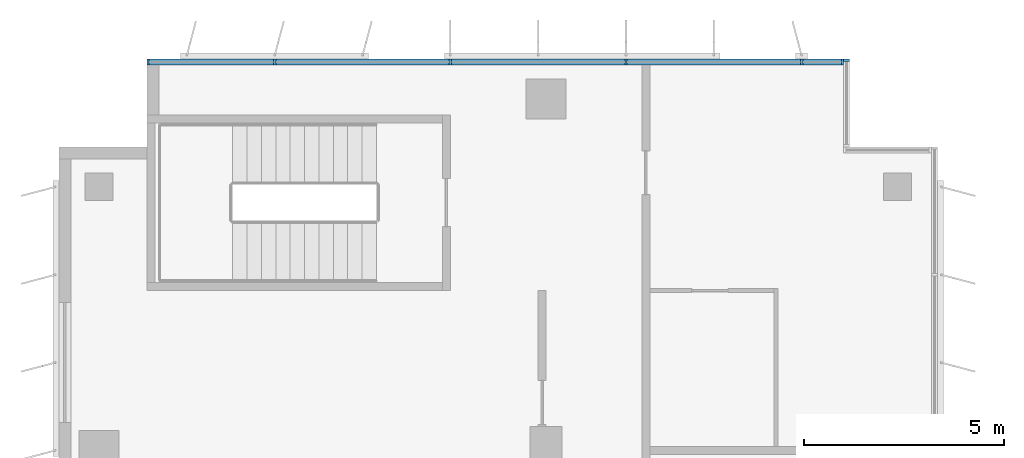
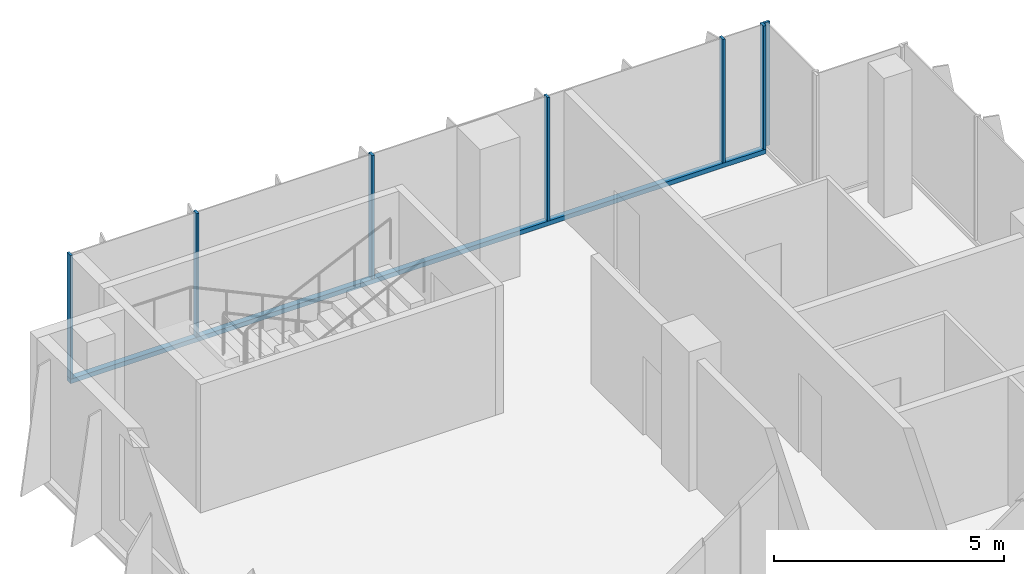
# One storey, part 9 of 21: 8 members, 2 elements without a shape of their own.
"""IFC4 building model written with IfcOpenShell, lengths in metres."""

from ifc_helpers import new_model, si_unit, direction, frame, origin, origin_2d, place, context, subcontext, project, spatial, rectangle, extrude, source, transform, mapped, material, material_profile, profile_set, type_object, element, aggregate, save


model = new_model("IFC4")

# Units and contexts
model_context = context("Model", 3, precision=1e-05, world=origin(), true_north=direction((0.0, 1.0)))
body_context = subcontext(model_context, "Body", "Model", "MODEL_VIEW")
ifc_project = project(units=[si_unit("LENGTHUNIT", "METRE"), si_unit("AREAUNIT", "SQUARE_METRE"), si_unit("VOLUMEUNIT", "CUBIC_METRE"), si_unit("PLANEANGLEUNIT", "RADIAN"), si_unit("MASSUNIT", "GRAM", prefix="KILO")], contexts=[model_context])

# Site, building, storey
site_placement = place(None, origin())
site = spatial("IfcSite", under=ifc_project, at=site_placement, CompositionType="ELEMENT")
building_placement = place(site_placement, origin())
building = spatial("IfcBuilding", under=site, at=building_placement, Name="Kemantara Hotel Tower", CompositionType="ELEMENT")
storey_placement = place(building_placement, frame((0.0, 0.0, 160.5)))
storey = spatial("IfcBuildingStorey", under=building, at=storey_placement, Name="L39", CompositionType="ELEMENT", Elevation=160.5)

# Curtain wall, members
ifc_material_1 = material(Name="Low-E tinted double insulated glass 36 mm", Category="glass")
curtain_wall_type = type_object("IfcCurtainWallType", Name="TOWER CURTAIN WALL, FRONT FACES", PredefinedType="USERDEFINED", material=ifc_material_1)
curtain_wall_1_placement = place(storey_placement, origin())
curtain_wall_1 = element("IfcCurtainWall", 1, at=curtain_wall_1_placement, inside=storey, type_object=curtain_wall_type, Name="CW4 L39 T3-R02-1", ObjectType="TOWER CURTAIN WALL, FRONT FACES", PredefinedType="USERDEFINED")
ifc_material_2 = material(Name="Aluminium 6063-T6 bronze anodised", Category="aluminium")
ifc_material_profile_1 = material_profile(ifc_material_2, rectangle(XDim=0.14990234375, YDim=0.1201171875, at=origin_2d()), Name="TOWER CURTAIN WALL, FRONT FACES TRANSOM")
ifc_profile_set_1 = profile_set([ifc_material_profile_1], Name="Aluminium 6063-T6 bronze anodised")
member_type_1 = type_object("IfcMemberType", Name="TOWER CURTAIN WALL, FRONT FACES TRANSOM", PredefinedType="USERDEFINED", material=ifc_profile_set_1)
member_1_placement = place(storey_placement, frame((19.64990234375, 63.52490234375, 0.06005859375), z_axis=(-1.0, 0.0, 0.0), x_axis=(0.0, -1.0, 0.0)))
member_1 = element("IfcMember", 2, at=member_1_placement, type_object=member_type_1, Name="CW4 sill transom T3-R02-1", ObjectType="TRANSOM", PredefinedType="USERDEFINED", context=body_context, shape_type="SweptSolid", body=[
    extrude(rectangle(XDim=0.14990234375, YDim=0.1201171875, at=origin_2d()), origin(), (0.0, 0.0, 1.0), 17.449951171875),
])
ifc_material_profile_2 = material_profile(ifc_material_2, rectangle(XDim=0.14990234375, YDim=0.06005859375, at=origin_2d()), Name="TOWER CURTAIN WALL, FRONT FACES MULLION")
ifc_profile_set_2 = profile_set([ifc_material_profile_2], Name="Aluminium 6063-T6 bronze anodised")
member_type_2 = type_object("IfcMemberType", Name="TOWER CURTAIN WALL, FRONT FACES MULLION", PredefinedType="MULLION", material=ifc_profile_set_2)
shared_shape = source(origin(), body_context, "Body", "SweptSolid", [
    extrude(rectangle(XDim=0.14990234375, YDim=0.06005859375, at=origin_2d()), origin(), (0.0, 0.0, 1.0), 3.27978515625),
])
member_2_placement = place(storey_placement, frame((19.6201171875, 63.52490234375, 0.1201171875), z_axis=(0.0, 0.0, 1.0), x_axis=(0.0, -1.0, 0.0)))
member_2 = element("IfcMember", 3, at=member_2_placement, type_object=member_type_2, Name="CW4 mullion T3-R02-1.1", PredefinedType="MULLION", context=body_context, shape_type="MappedRepresentation", body=[
    mapped(shared_shape, transform((0.0, 0.0, 0.0))),
])
member_3_placement = place(storey_placement, frame((18.60009765625, 63.52490234375, 0.1201171875), z_axis=(0.0, 0.0, 1.0), x_axis=(0.0, -1.0, 0.0)))
member_3 = element("IfcMember", 4, at=member_3_placement, type_object=member_type_2, Name="CW4 mullion T3-R02-1.2", PredefinedType="MULLION", context=body_context, shape_type="MappedRepresentation", body=[
    mapped(shared_shape, transform((0.0, 0.0, 0.0))),
])
member_4_placement = place(storey_placement, frame((14.199951171875, 63.52490234375, 0.1201171875), z_axis=(0.0, 0.0, 1.0), x_axis=(0.0, -1.0, 0.0)))
member_4 = element("IfcMember", 5, at=member_4_placement, type_object=member_type_2, Name="CW4 mullion T3-R02-1.3", PredefinedType="MULLION", context=body_context, shape_type="MappedRepresentation", body=[
    mapped(shared_shape, transform((0.0, 0.0, 0.0))),
])
member_5_placement = place(storey_placement, frame((9.800048828125, 63.52490234375, 0.1201171875), z_axis=(0.0, 0.0, 1.0), x_axis=(0.0, -1.0, 0.0)))
member_5 = element("IfcMember", 6, at=member_5_placement, type_object=member_type_2, Name="CW4 mullion T3-R02-1.4", PredefinedType="MULLION", context=body_context, shape_type="MappedRepresentation", body=[
    mapped(shared_shape, transform((0.0, 0.0, 0.0))),
])
member_6_placement = place(storey_placement, frame((5.39990234375, 63.52490234375, 0.1201171875), z_axis=(0.0, 0.0, 1.0), x_axis=(0.0, -1.0, 0.0)))
member_6 = element("IfcMember", 7, at=member_6_placement, type_object=member_type_2, Name="CW4 mullion T3-R02-1.5", PredefinedType="MULLION", context=body_context, shape_type="MappedRepresentation", body=[
    mapped(shared_shape, transform((0.0, 0.0, 0.0))),
])
member_7_placement = place(storey_placement, frame((2.22998046875, 63.52490234375, 0.1201171875), z_axis=(0.0, 0.0, 1.0), x_axis=(0.0, -1.0, 0.0)))
member_7 = element("IfcMember", 8, at=member_7_placement, type_object=member_type_2, Name="CW4 mullion T3-R02-1.6", PredefinedType="MULLION", context=body_context, shape_type="MappedRepresentation", body=[
    mapped(shared_shape, transform((0.0, 0.0, 0.0))),
])
aggregate(curtain_wall_1, [member_1, member_2, member_3, member_4, member_5, member_6, member_7])

# Curtain wall, member
curtain_wall_2_placement = place(storey_placement, origin())
curtain_wall_2 = element("IfcCurtainWall", 9, at=curtain_wall_2_placement, inside=storey, type_object=curtain_wall_type, Name="CW4 L39 T3-R01-1", ObjectType="TOWER CURTAIN WALL, FRONT FACES", PredefinedType="USERDEFINED")
member_8_placement = place(storey_placement, frame((19.72509765625, 63.570068359375, 0.1201171875), z_axis=(0.0, 0.0, 1.0), x_axis=(-1.0, 0.0, 0.0)))
member_8 = element("IfcMember", 10, at=member_8_placement, type_object=member_type_2, Name="CW4 mullion T3-R01-1.2", PredefinedType="MULLION", context=body_context, shape_type="MappedRepresentation", body=[
    mapped(shared_shape, transform((0.0, 0.0, 0.0))),
])
aggregate(curtain_wall_2, [member_8])

save(model, "model.ifc")
